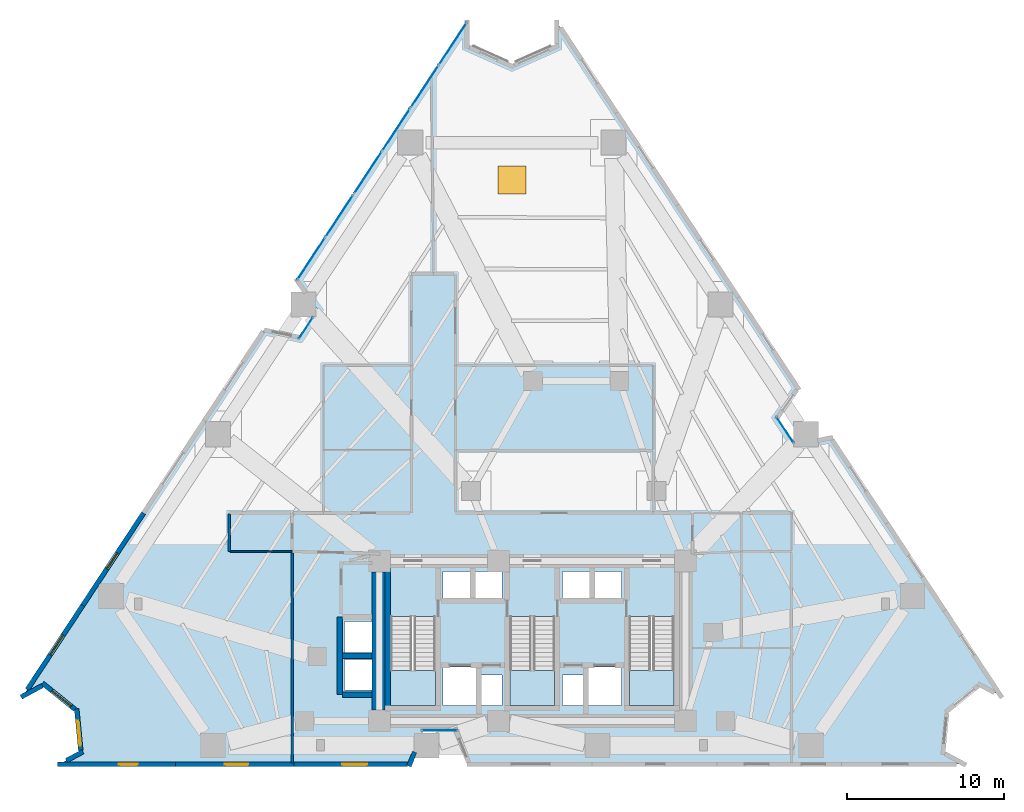
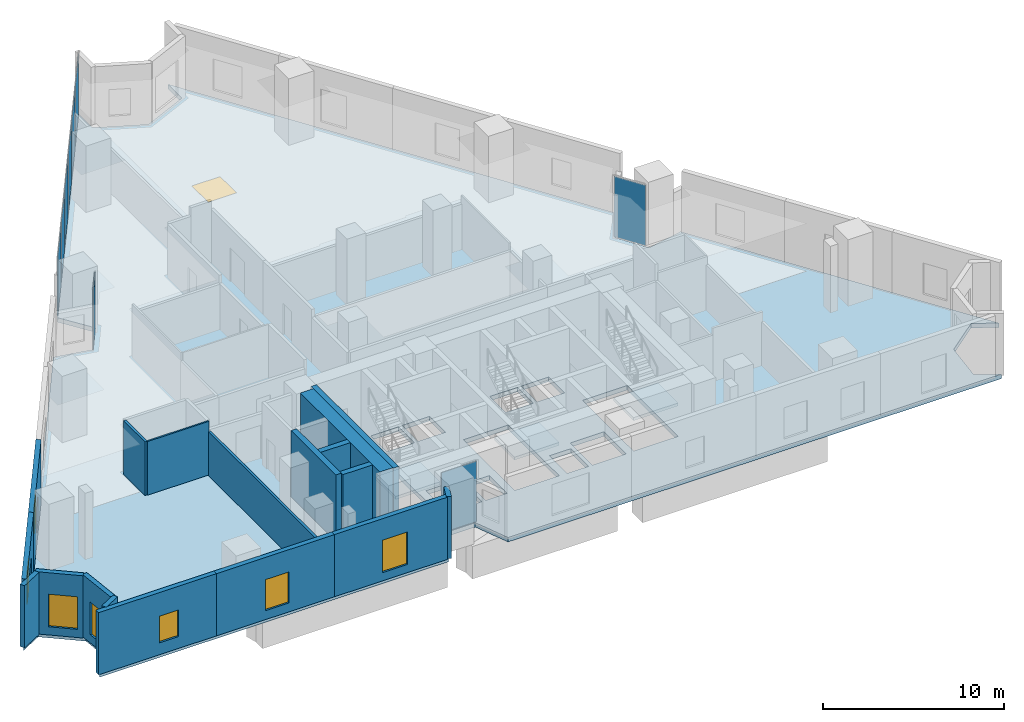
# One storey, part 7 of 15: 18 walls, 9 plates, 8 windows, 4 slabs, 8 openings, 9 elements without a shape of their own.
"""IFC4 building model written with IfcOpenShell, lengths in metres."""

from ifc_helpers import new_model, si_unit, direction, frame, frame_2d, origin, origin_2d, place, context, subcontext, project, spatial, polyline, rectangle, outline, extrude, material, layer, layer_set, type_object, element, fill, aggregate, save


model = new_model("IFC4")

# Units and contexts
model_context = context("Model", 3, precision=1e-05, world=origin(), true_north=direction((0.0, 1.0)))
body_context = subcontext(model_context, "Body", "Model", "MODEL_VIEW")
ifc_project = project(units=[si_unit("LENGTHUNIT", "METRE"), si_unit("AREAUNIT", "SQUARE_METRE"), si_unit("VOLUMEUNIT", "CUBIC_METRE"), si_unit("PLANEANGLEUNIT", "RADIAN"), si_unit("MASSUNIT", "GRAM", prefix="KILO")], contexts=[model_context])

# Site, building, storey
site_placement = place(None, origin())
site = spatial("IfcSite", under=ifc_project, at=site_placement, CompositionType="ELEMENT")
building_placement = place(site_placement, origin())
building = spatial("IfcBuilding", under=site, at=building_placement, Name="Almagre Mirador Tower", CompositionType="ELEMENT")
storey_placement = place(building_placement, frame((0.0, 0.0, 8.39990234375)))
storey = spatial("IfcBuildingStorey", under=building, at=storey_placement, Name="L01", CompositionType="ELEMENT", Elevation=8.39990234375)

# Curtain wall, plate
ifc_material_1 = material(Name="Black anodized aluminium", Category="aluminium")
ifc_layer_1 = layer(ifc_material_1, 0.169921875)
ifc_layer_set_1 = layer_set([ifc_layer_1], Name="Black anodized aluminium")
curtain_wall_type_1 = type_object("IfcCurtainWallType", Name="CW-CRS-SYS", PredefinedType="NOTDEFINED", material=ifc_layer_set_1)
curtain_wall_1_placement = place(storey_placement, origin())
curtain_wall_1 = element("IfcCurtainWall", 1, at=curtain_wall_1_placement, inside=storey, type_object=curtain_wall_type_1, Name="L01 vertical crease curtain wall 01", PredefinedType="NOTDEFINED")
ifc_material_2 = material(Name="Dark solar-control laminated hurricane glass", Category="glass")
ifc_layer_2 = layer(ifc_material_2, 0.028076171875)
ifc_layer_set_2 = layer_set([ifc_layer_2], Name="Dark solar-control laminated hurricane glass")
plate_type_1 = type_object("IfcPlateType", Name="PLT-GLZ-28", PredefinedType="CURTAIN_PANEL", material=ifc_layer_set_2)
plate_1_placement = place(storey_placement, frame((22.882080078125, 29.58349609375, 0.06005859375), z_axis=(0.0, 0.0, 1.0), x_axis=(0.550264832772, 0.834990187855, 0.0)))
plate_1 = element("IfcPlate", 2, at=plate_1_placement, type_object=plate_type_1, Name="CW-4 panel 1.1", PredefinedType="CURTAIN_PANEL", context=body_context, shape_type="SweptSolid", body=[
    extrude(rectangle(XDim=1.6103515625, YDim=0.028076171875, at=origin_2d()), origin(), (0.0, 0.0, 1.0), 4.080078125),
])
aggregate(curtain_wall_1, [plate_1])

curtain_wall_2_placement = place(storey_placement, origin())
curtain_wall_2 = element("IfcCurtainWall", 3, at=curtain_wall_2_placement, inside=storey, type_object=curtain_wall_type_1, Name="L01 vertical crease curtain wall 05", PredefinedType="NOTDEFINED")
plate_2_placement = place(storey_placement, frame((53.385498046875, 23.107177734375, 0.06005859375), z_axis=(0.0, 0.0, 1.0), x_axis=(0.550262929231, -0.8349914423, 0.0)))
plate_2 = element("IfcPlate", 4, at=plate_2_placement, type_object=plate_type_1, Name="CW-4 panel 1.1", PredefinedType="CURTAIN_PANEL", context=body_context, shape_type="SweptSolid", body=[
    extrude(rectangle(XDim=1.95361328125, YDim=0.028076171875, at=origin_2d()), origin(), (0.0, 0.0, 1.0), 4.080078125),
])
aggregate(curtain_wall_2, [plate_2])

curtain_wall_3_placement = place(storey_placement, origin())
curtain_wall_3 = element("IfcCurtainWall", 5, at=curtain_wall_3_placement, inside=storey, type_object=curtain_wall_type_1, Name="L01 vertical crease curtain wall 06", PredefinedType="NOTDEFINED")
plate_3_placement = place(storey_placement, frame((31.39208984375, 3.949951171875, 0.06005859375), z_axis=(0.0, 0.0, 1.0), x_axis=(-1.0, 0.0, 0.0)))
plate_3 = element("IfcPlate", 6, at=plate_3_placement, type_object=plate_type_1, Name="CW-4 panel 1.1", PredefinedType="CURTAIN_PANEL", context=body_context, shape_type="SweptSolid", body=[
    extrude(rectangle(XDim=2.25, YDim=0.028076171875, at=origin_2d()), origin(), (0.0, 0.0, 1.0), 4.080078125),
])
aggregate(curtain_wall_3, [plate_3])

# Curtain wall, plates
ifc_material_3 = material(Name="Black anodized aluminium", Category="aluminium")
ifc_layer_3 = layer(ifc_material_3, 0.219970703125)
ifc_layer_set_3 = layer_set([ifc_layer_3], Name="Black anodized aluminium")
curtain_wall_type_2 = type_object("IfcCurtainWallType", Name="CW-POD-SYS", PredefinedType="NOTDEFINED", material=ifc_layer_set_3)
curtain_wall_4_placement = place(storey_placement, origin())
curtain_wall_4 = element("IfcCurtainWall", 7, at=curtain_wall_4_placement, inside=storey, type_object=curtain_wall_type_2, Name="L01 curtain wall run 02", PredefinedType="NOTDEFINED")
ifc_material_4 = material(Name="Dark solar-control laminated hurricane glass", Category="glass")
ifc_layer_4 = layer(ifc_material_4, 0.035888671875)
ifc_layer_set_4 = layer_set([ifc_layer_4], Name="Dark solar-control laminated hurricane glass")
plate_type_2 = type_object("IfcPlateType", Name="PLT-GLZ-36", PredefinedType="CURTAIN_PANEL", material=ifc_layer_set_4)
plate_4_placement = place(storey_placement, frame((23.22021484375, 34.00439453125, 0.06494140625), z_axis=(0.0, 0.0, 1.0), x_axis=(0.550201075743, 0.835032200727, 0.0)))
plate_4 = element("IfcPlate", 8, at=plate_4_placement, type_object=plate_type_2, Name="CW-1 panel 1.1", PredefinedType="CURTAIN_PANEL", context=body_context, shape_type="SweptSolid", body=[
    extrude(rectangle(XDim=3.17578125, YDim=0.035888671875, at=origin_2d()), origin(), (0.0, 0.0, 1.0), 4.070068359375),
])
plate_5_placement = place(storey_placement, frame((25.006103515625, 36.71484375, 0.06494140625), z_axis=(0.0, 0.0, 1.0), x_axis=(0.550201075743, 0.835032200727, 0.0)))
plate_5 = element("IfcPlate", 9, at=plate_5_placement, type_object=plate_type_2, Name="CW-1 panel 2.1", PredefinedType="CURTAIN_PANEL", context=body_context, shape_type="SweptSolid", body=[
    extrude(rectangle(XDim=3.17578125, YDim=0.035888671875, at=origin_2d()), origin(), (0.0, 0.0, 1.0), 4.070068359375),
])
aggregate(curtain_wall_4, [plate_4, plate_5])

curtain_wall_5_placement = place(storey_placement, origin())
curtain_wall_5 = element("IfcCurtainWall", 10, at=curtain_wall_5_placement, inside=storey, type_object=curtain_wall_type_2, Name="L01 curtain wall run 03", PredefinedType="NOTDEFINED")
plate_6_placement = place(storey_placement, frame((26.83056640625, 39.483642578125, 0.06494140625), z_axis=(0.0, 0.0, 1.0), x_axis=(0.550204700336, 0.835029812478, 0.0)))
plate_6 = element("IfcPlate", 11, at=plate_6_placement, type_object=plate_type_2, Name="CW-1 panel 1.1", PredefinedType="CURTAIN_PANEL", context=body_context, shape_type="SweptSolid", body=[
    extrude(rectangle(XDim=3.176025390625, YDim=0.035888671875, at=origin_2d()), origin(), (0.0, 0.0, 1.0), 4.070068359375),
])
plate_7_placement = place(storey_placement, frame((28.616455078125, 42.1943359375, 0.06494140625), z_axis=(0.0, 0.0, 1.0), x_axis=(0.550204700336, 0.835029812478, 0.0)))
plate_7 = element("IfcPlate", 12, at=plate_7_placement, type_object=plate_type_2, Name="CW-1 panel 2.1", PredefinedType="CURTAIN_PANEL", context=body_context, shape_type="SweptSolid", body=[
    extrude(rectangle(XDim=3.176025390625, YDim=0.035888671875, at=origin_2d()), origin(), (0.0, 0.0, 1.0), 4.070068359375),
])
aggregate(curtain_wall_5, [plate_6, plate_7])

curtain_wall_6_placement = place(storey_placement, origin())
curtain_wall_6 = element("IfcCurtainWall", 13, at=curtain_wall_6_placement, inside=storey, type_object=curtain_wall_type_2, Name="L01 curtain wall run 04", PredefinedType="NOTDEFINED")
plate_8_placement = place(storey_placement, frame((30.44091796875, 44.963134765625, 0.06494140625), z_axis=(0.0, 0.0, 1.0), x_axis=(0.550201075743, 0.835032200727, 0.0)))
plate_8 = element("IfcPlate", 14, at=plate_8_placement, type_object=plate_type_2, Name="CW-1 panel 1.1", PredefinedType="CURTAIN_PANEL", context=body_context, shape_type="SweptSolid", body=[
    extrude(rectangle(XDim=3.17578125, YDim=0.035888671875, at=origin_2d()), origin(), (0.0, 0.0, 1.0), 4.070068359375),
])
plate_9_placement = place(storey_placement, frame((32.226806640625, 47.673583984375, 0.06494140625), z_axis=(0.0, 0.0, 1.0), x_axis=(0.550201075743, 0.835032200727, 0.0)))
plate_9 = element("IfcPlate", 15, at=plate_9_placement, type_object=plate_type_2, Name="CW-1 panel 2.1", PredefinedType="CURTAIN_PANEL", context=body_context, shape_type="SweptSolid", body=[
    extrude(rectangle(XDim=3.17578125, YDim=0.035888671875, at=origin_2d()), origin(), (0.0, 0.0, 1.0), 4.070068359375),
])
aggregate(curtain_wall_6, [plate_8, plate_9])

# Slab, opening, window
ifc_material_5 = material(Name="Concrete C45/55", Category="concrete")
ifc_layer_5 = layer(ifc_material_5, 0.300048828125)
ifc_layer_set_5 = layer_set([ifc_layer_5], Name="Concrete C45/55")
slab_type_1 = type_object("IfcSlabType", Name="SLB-FLR-300", PredefinedType="FLOOR", material=ifc_layer_set_5)
slab_1_placement = place(storey_placement, frame((0.0, 0.0, -0.2998046875)))
slab_1 = element("IfcSlab", 16, at=slab_1_placement, inside=storey, type_object=slab_type_1, Name="L01 structural floor slab", PredefinedType="FLOOR", context=body_context, shape_type="SweptSolid", body=[
    extrude(outline(polyline([(4.861083984375, 6.14208984375), (6.2080078125, 6.867919921875), (8.2900390625, 5.18798828125), (8.547119140625, 2.52587890625), (7.199951171875, 1.800048828125), (29.491943359375, 1.800048828125), (30.346923828125, 3.949951171875), (32.43701171875, 3.949951171875), (33.2919921875, 1.800048828125), (64.800048828125, 1.800048828125), (63.452880859375, 2.52587890625), (63.7099609375, 5.18798828125), (65.7919921875, 6.867919921875), (67.138916015625, 6.14208984375), (56.30810546875, 22.580078125), (54.0419921875, 22.111083984375), (52.89208984375, 23.85595703125), (54.217041015625, 25.7529296875), (38.861083984375, 49.05810546875), (38.861083984375, 47.528076171875), (36.0, 46.256103515625), (33.138916015625, 47.528076171875), (33.138916015625, 49.05810546875), (22.30810546875, 32.6201171875), (23.633056640625, 30.722900390625), (22.48291015625, 28.97802734375), (20.217041015625, 29.447021484375), (4.861083984375, 6.14208984375)]), holes=[polyline([(43.47509765625, 11.196044921875), (46.324951171875, 11.196044921875), (46.324951171875, 5.550048828125), (43.47509765625, 5.550048828125), (43.47509765625, 11.196044921875)]), polyline([(40.820068359375, 5.52001953125), (40.820068359375, 7.97998046875), (42.97998046875, 7.97998046875), (42.97998046875, 5.52001953125), (40.820068359375, 5.52001953125)]), polyline([(41.219970703125, 12.320068359375), (41.219970703125, 14.080078125), (42.97998046875, 14.080078125), (42.97998046875, 12.320068359375), (41.219970703125, 12.320068359375)]), polyline([(39.219970703125, 12.320068359375), (39.219970703125, 14.080078125), (40.97998046875, 14.080078125), (40.97998046875, 12.320068359375), (39.219970703125, 12.320068359375)]), polyline([(39.219970703125, 5.52001953125), (39.219970703125, 7.47998046875), (40.580078125, 7.47998046875), (40.580078125, 5.52001953125), (39.219970703125, 5.52001953125)]), polyline([(35.875, 11.196044921875), (38.72509765625, 11.196044921875), (38.72509765625, 5.550048828125), (35.875, 5.550048828125), (35.875, 11.196044921875)]), polyline([(35.3798828125, 5.52001953125), (34.02001953125, 5.52001953125), (34.02001953125, 7.47998046875), (35.3798828125, 7.47998046875), (35.3798828125, 5.52001953125)]), polyline([(35.3798828125, 12.320068359375), (33.6201171875, 12.320068359375), (33.6201171875, 14.080078125), (35.3798828125, 14.080078125), (35.3798828125, 12.320068359375)]), polyline([(31.6201171875, 5.52001953125), (31.6201171875, 7.97998046875), (33.780029296875, 7.97998046875), (33.780029296875, 5.52001953125), (31.6201171875, 5.52001953125)]), polyline([(31.6201171875, 12.320068359375), (31.6201171875, 14.080078125), (33.3798828125, 14.080078125), (33.3798828125, 12.320068359375), (31.6201171875, 12.320068359375)]), polyline([(28.27490234375, 5.550048828125), (28.27490234375, 11.196044921875), (31.125, 11.196044921875), (31.125, 5.550048828125), (28.27490234375, 5.550048828125)]), polyline([(25.320068359375, 6.52001953125), (25.320068359375, 8.47998046875), (27.3798828125, 8.47998046875), (27.3798828125, 6.52001953125), (25.320068359375, 6.52001953125)]), polyline([(25.320068359375, 8.919921875), (25.320068359375, 10.8798828125), (27.3798828125, 10.8798828125), (27.3798828125, 8.919921875), (25.320068359375, 8.919921875)])]), origin(), (0.0, 0.0, 1.0), 0.2998046875),
])
opening_1_placement = place(slab_1_placement, frame((36.0, 39.0, 0.0)))
opening_1 = element("IfcOpeningElement", 17, at=opening_1_placement, cuts=slab_1, Name="Opening SK-01", PredefinedType="OPENING", context=body_context, shape_type="SweptSolid", body=[
    extrude(rectangle(XDim=1.800048828125, YDim=1.800048828125, at=origin_2d()), origin(), (0.0, 0.0, 1.0), 0.2998046875),
])
ifc_material_6 = material(Name="Dark solar-control laminated hurricane glass", Category="glass")
window_type_1 = type_object("IfcWindowType", Name="SKY-1800X1800", PartitioningType="SINGLE_PANEL", PredefinedType="SKYLIGHT", material=ifc_material_6)
window_1_placement = place(opening_1_placement, frame((0.0, 0.0, 0.249755859375)))
window_1 = element("IfcWindow", 18, at=window_1_placement, inside=storey, type_object=window_type_1, Name="L01 atrium lightwell skylight 1", OverallHeight=1.800048828125, OverallWidth=1.800048828125, PartitioningType="SINGLE_PANEL", PredefinedType="SKYLIGHT", context=body_context, shape_type="SweptSolid", body=[
    extrude(rectangle(XDim=1.800048828125, YDim=1.800048828125, at=origin_2d()), origin(), (0.0, 0.0, 1.0), 0.050048828125),
])
fill(opening_1, window_1)

# Stair, slab
ifc_material_7 = material(Name="Concrete C45/55", Category="concrete")
stair_type = type_object("IfcStairType", Name="STR-DL-4500", PredefinedType="HALF_TURN_STAIR", material=ifc_material_7)
stair_1_placement = place(storey_placement, origin())
stair_1 = element("IfcStair", 19, at=stair_1_placement, inside=storey, type_object=stair_type, Name="L01 Protected exit stair ST-1", PredefinedType="HALF_TURN_STAIR")
ifc_material_8 = material(Name="Concrete C45/55", Category="concrete")
ifc_layer_6 = layer(ifc_material_8, 0.199951171875)
ifc_layer_set_6 = layer_set([ifc_layer_6], Name="Concrete C45/55")
slab_type_2 = type_object("IfcSlabType", Name="SLB-LND-200", PredefinedType="LANDING", material=ifc_layer_set_6)
slab_2_placement = place(storey_placement, frame((0.0, 0.0, 2.050048828125)))
slab_2 = element("IfcSlab", 20, at=slab_2_placement, type_object=slab_type_2, Name="ST-1 landing 1", PredefinedType="LANDING", context=body_context, shape_type="SweptSolid", body=[
    extrude(outline(polyline([(28.27490234375, 7.780029296875), (28.27490234375, 5.550048828125), (31.125, 5.550048828125), (31.125, 7.780029296875), (28.27490234375, 7.780029296875)])), origin(), (0.0, 0.0, 1.0), 0.199951171875),
])
aggregate(stair_1, [slab_2])

stair_2_placement = place(storey_placement, origin())
stair_2 = element("IfcStair", 21, at=stair_2_placement, inside=storey, type_object=stair_type, Name="L01 Protected exit stair ST-2", PredefinedType="HALF_TURN_STAIR")
slab_3_placement = place(storey_placement, frame((0.0, 0.0, 2.050048828125)))
slab_3 = element("IfcSlab", 22, at=slab_3_placement, type_object=slab_type_2, Name="ST-2 landing 1", PredefinedType="LANDING", context=body_context, shape_type="SweptSolid", body=[
    extrude(outline(polyline([(35.875, 7.780029296875), (35.875, 5.550048828125), (38.72509765625, 5.550048828125), (38.72509765625, 7.780029296875), (35.875, 7.780029296875)])), origin(), (0.0, 0.0, 1.0), 0.199951171875),
])
aggregate(stair_2, [slab_3])

stair_3_placement = place(storey_placement, origin())
stair_3 = element("IfcStair", 23, at=stair_3_placement, inside=storey, type_object=stair_type, Name="L01 Protected exit stair ST-3", PredefinedType="HALF_TURN_STAIR")
slab_4_placement = place(storey_placement, frame((0.0, 0.0, 2.050048828125)))
slab_4 = element("IfcSlab", 24, at=slab_4_placement, type_object=slab_type_2, Name="ST-3 landing 1", PredefinedType="LANDING", context=body_context, shape_type="SweptSolid", body=[
    extrude(outline(polyline([(43.47509765625, 7.780029296875), (43.47509765625, 5.550048828125), (46.324951171875, 5.550048828125), (46.324951171875, 7.780029296875), (43.47509765625, 7.780029296875)])), origin(), (0.0, 0.0, 1.0), 0.199951171875),
])
aggregate(stair_3, [slab_4])

# Wall
ifc_material_9 = material(Name="Precast concrete C50/60", Category="concrete")
ifc_layer_7 = layer(ifc_material_9, 0.300048828125)
ifc_layer_set_7 = layer_set([ifc_layer_7], Name="Precast concrete C50/60")
wall_type_1 = type_object("IfcWallType", Name="WAL-EXT-300", PredefinedType="SOLIDWALL", material=ifc_layer_set_7)
wall_1_placement = place(storey_placement, frame((29.798095703125, 2.569580078125, 0.0), z_axis=(0.0, 0.0, 1.0), x_axis=(-0.369651063385, -0.929170647049, 0.0)))
element("IfcWall", 25, at=wall_1_placement, inside=storey, type_object=wall_type_1, Name="L01 expressed almagre precast frame wall 25", PredefinedType="SOLIDWALL", context=body_context, shape_type="SweptSolid", body=[
    extrude(rectangle(XDim=0.96826171875, YDim=0.300048828125, at=frame_2d((0.484130859375, 0.0))), origin(), (0.0, 0.0, 1.0), 4.2001953125),
])

# Wall, opening, window
wall_2_placement = place(storey_placement, frame((29.35205078125, 1.800048828125, 0.0), z_axis=(0.0, 0.0, 1.0), x_axis=(-1.0, 0.0, 0.0)))
wall_2 = element("IfcWall", 26, at=wall_2_placement, inside=storey, type_object=wall_type_1, Name="L01 expressed almagre precast frame wall 26", PredefinedType="SOLIDWALL", context=body_context, shape_type="SweptSolid", body=[
    extrude(rectangle(XDim=7.244140625, YDim=0.300048828125, at=frame_2d((3.6220703125, 0.0))), origin(), (0.0, 0.0, 1.0), 4.2001953125),
])
opening_2_placement = place(wall_2_placement, frame((2.570068359375, 0.0, 0.550048828125)))
opening_2 = element("IfcOpeningElement", 27, at=opening_2_placement, cuts=wall_2, Name="Opening WN-06", PredefinedType="OPENING", context=body_context, shape_type="SweptSolid", body=[
    extrude(rectangle(XDim=1.60009765625, YDim=2.199951171875, at=frame_2d((0.800048828125, 1.10009765625))), frame((0.0, 0.159902, 0.0), z_axis=(0.0, -1.0, 0.0), x_axis=(1.0, 0.0, 0.0)), (0.0, 0.0, 1.0), 0.320049),
])
ifc_material_10 = material(Name="Dark solar-control laminated hurricane glass", Category="glass")
window_type_2 = type_object("IfcWindowType", Name="WIN-1600X2200", PartitioningType="DOUBLE_PANEL_VERTICAL", PredefinedType="WINDOW", material=ifc_material_10)
window_2_placement = place(opening_2_placement, origin())
window_2 = element("IfcWindow", 28, at=window_2_placement, inside=storey, type_object=window_type_2, Name="L01 recessed hurricane window L01-GAL1-2", OverallHeight=2.199951171875, OverallWidth=1.60009765625, PartitioningType="SINGLE_PANEL", PredefinedType="WINDOW", context=body_context, shape_type="SweptSolid", body=[
    extrude(rectangle(XDim=1.60009765625, YDim=2.199951171875, at=frame_2d((0.800048828125, 1.10009765625))), frame((0.0, 0.030029296875, 0.0), z_axis=(0.0, -1.0, 0.0), x_axis=(1.0, 0.0, 0.0)), (0.0, 0.0, 1.0), 0.06005859375),
])
fill(opening_2, window_2)

wall_3_placement = place(storey_placement, frame((22.10791015625, 1.800048828125, 0.0), z_axis=(0.0, 0.0, 1.0), x_axis=(-1.0, 0.0, 0.0)))
wall_3 = element("IfcWall", 29, at=wall_3_placement, inside=storey, type_object=wall_type_1, Name="L01 expressed almagre precast frame wall 27", PredefinedType="SOLIDWALL", context=body_context, shape_type="SweptSolid", body=[
    extrude(rectangle(XDim=7.52392578125, YDim=0.300048828125, at=frame_2d((3.761962890625, 0.0))), origin(), (0.0, 0.0, 1.0), 4.2001953125),
])
opening_3_placement = place(wall_3_placement, frame((2.89990234375, 0.0, 0.60009765625)))
opening_3 = element("IfcOpeningElement", 30, at=opening_3_placement, cuts=wall_3, Name="Opening WN-03", PredefinedType="OPENING", context=body_context, shape_type="SweptSolid", body=[
    extrude(rectangle(XDim=1.5, YDim=2.10009765625, at=frame_2d((0.75, 1.050048828125))), frame((0.0, 0.159902, 0.0), z_axis=(0.0, -1.0, 0.0), x_axis=(1.0, 0.0, 0.0)), (0.0, 0.0, 1.0), 0.320049),
])
ifc_material_11 = material(Name="Dark solar-control laminated hurricane glass", Category="glass")
window_type_3 = type_object("IfcWindowType", Name="WIN-1500X2100", PartitioningType="DOUBLE_PANEL_VERTICAL", PredefinedType="WINDOW", material=ifc_material_11)
window_3_placement = place(opening_3_placement, origin())
window_3 = element("IfcWindow", 31, at=window_3_placement, inside=storey, type_object=window_type_3, Name="L01 recessed hurricane window L01-CAFE-6", OverallHeight=2.10009765625, OverallWidth=1.5, PartitioningType="SINGLE_PANEL", PredefinedType="WINDOW", context=body_context, shape_type="SweptSolid", body=[
    extrude(rectangle(XDim=1.5, YDim=2.10009765625, at=frame_2d((0.75, 1.050048828125))), frame((0.0, 0.030029296875, 0.0), z_axis=(0.0, -1.0, 0.0), x_axis=(1.0, 0.0, 0.0)), (0.0, 0.0, 1.0), 0.06005859375),
])
fill(opening_3, window_3)

wall_4_placement = place(storey_placement, frame((14.583984375, 1.800048828125, 0.0), z_axis=(0.0, 0.0, 1.0), x_axis=(-1.0, 0.0, 0.0)))
wall_4 = element("IfcWall", 32, at=wall_4_placement, inside=storey, type_object=wall_type_1, Name="L01 expressed almagre precast frame wall 28", PredefinedType="SOLIDWALL", context=body_context, shape_type="SweptSolid", body=[
    extrude(rectangle(XDim=7.52392578125, YDim=0.300048828125, at=frame_2d((3.761962890625, 0.0))), origin(), (0.0, 0.0, 1.0), 4.2001953125),
])
opening_4_placement = place(wall_4_placement, frame((2.425048828125, 0.0, 0.800048828125)))
opening_4 = element("IfcOpeningElement", 33, at=opening_4_placement, cuts=wall_4, Name="Opening WN-04", PredefinedType="OPENING", context=body_context, shape_type="SweptSolid", body=[
    extrude(rectangle(XDim=1.199951171875, YDim=1.800048828125, at=frame_2d((0.60009765625, 0.89990234375))), frame((0.0, 0.159902, 0.0), z_axis=(0.0, -1.0, 0.0), x_axis=(1.0, 0.0, 0.0)), (0.0, 0.0, 1.0), 0.320049),
])
ifc_material_12 = material(Name="Dark solar-control laminated hurricane glass", Category="glass")
window_type_4 = type_object("IfcWindowType", Name="WIN-1200X1800", PartitioningType="SINGLE_PANEL", PredefinedType="WINDOW", material=ifc_material_12)
window_4_placement = place(opening_4_placement, origin())
window_4 = element("IfcWindow", 34, at=window_4_placement, inside=storey, type_object=window_type_4, Name="L01 recessed hurricane window L01-CAFE-6", OverallHeight=1.800048828125, OverallWidth=1.199951171875, PartitioningType="SINGLE_PANEL", PredefinedType="WINDOW", context=body_context, shape_type="SweptSolid", body=[
    extrude(rectangle(XDim=1.199951171875, YDim=1.800048828125, at=frame_2d((0.60009765625, 0.89990234375))), frame((0.0, 0.030029296875, 0.0), z_axis=(0.0, -1.0, 0.0), x_axis=(1.0, 0.0, 0.0)), (0.0, 0.0, 1.0), 0.06005859375),
])
fill(opening_4, window_4)

# Wall
wall_5_placement = place(storey_placement, frame((7.62255859375, 2.02783203125, 0.0), z_axis=(0.0, 0.0, 1.0), x_axis=(0.880345902198, 0.474332259586, 0.0)))
element("IfcWall", 35, at=wall_5_placement, inside=storey, type_object=wall_type_1, Name="L01 expressed almagre precast frame wall 29", PredefinedType="SOLIDWALL", context=body_context, shape_type="SweptSolid", body=[
    extrude(rectangle(XDim=1.18994140625, YDim=0.300048828125, at=frame_2d((0.594970703125, 0.0))), origin(), (0.0, 0.0, 1.0), 4.2001953125),
])

# Wall, opening, window
wall_6_placement = place(storey_placement, frame((8.5341796875, 2.660400390625, 0.0), z_axis=(0.0, 0.0, 1.0), x_axis=(-0.096129088581, 0.995368875507, 0.0)))
wall_6 = element("IfcWall", 36, at=wall_6_placement, inside=storey, type_object=wall_type_1, Name="L01 expressed almagre precast frame wall 30", PredefinedType="SOLIDWALL", context=body_context, shape_type="SweptSolid", body=[
    extrude(rectangle(XDim=2.679443359375, YDim=0.300048828125, at=frame_2d((1.33984375, 0.0))), origin(), (0.0, 0.0, 1.0), 4.2001953125),
])
opening_5_placement = place(wall_6_placement, frame((0.324951171875, 0.0, 0.550048828125)))
opening_5 = element("IfcOpeningElement", 37, at=opening_5_placement, cuts=wall_6, Name="Opening WN-06", PredefinedType="OPENING", context=body_context, shape_type="SweptSolid", body=[
    extrude(rectangle(XDim=1.60009765625, YDim=2.199951171875, at=frame_2d((0.800048828125, 1.10009765625))), frame((0.0, 0.159902, 0.0), z_axis=(0.0, -1.0, 0.0), x_axis=(1.0, 0.0, 0.0)), (0.0, 0.0, 1.0), 0.320049),
])
window_5_placement = place(opening_5_placement, origin())
window_5 = element("IfcWindow", 38, at=window_5_placement, inside=storey, type_object=window_type_2, Name="L01 recessed hurricane window L01-CAFE-6", OverallHeight=2.199951171875, OverallWidth=1.60009765625, PartitioningType="SINGLE_PANEL", PredefinedType="WINDOW", context=body_context, shape_type="SweptSolid", body=[
    extrude(rectangle(XDim=1.60009765625, YDim=2.199951171875, at=frame_2d((0.800048828125, 1.10009765625))), frame((0.0, 0.030029296875, 0.0), z_axis=(0.0, -1.0, 0.0), x_axis=(1.0, 0.0, 0.0)), (0.0, 0.0, 1.0), 0.06005859375),
])
fill(opening_5, window_5)

wall_7_placement = place(storey_placement, frame((8.17333984375, 5.2822265625, 0.0), z_axis=(0.0, 0.0, 1.0), x_axis=(-0.778261403538, 0.627940433292, 0.0)))
wall_7 = element("IfcWall", 39, at=wall_7_placement, inside=storey, type_object=wall_type_1, Name="L01 expressed almagre precast frame wall 31", PredefinedType="SOLIDWALL", context=body_context, shape_type="SweptSolid", body=[
    extrude(rectangle(XDim=2.665283203125, YDim=0.300048828125, at=frame_2d((1.33251953125, 0.0))), origin(), (0.0, 0.0, 1.0), 4.2001953125),
])
opening_6_placement = place(wall_7_placement, frame((0.31005859375, 0.0, 0.550048828125)))
opening_6 = element("IfcOpeningElement", 40, at=opening_6_placement, cuts=wall_7, Name="Opening WN-06", PredefinedType="OPENING", context=body_context, shape_type="SweptSolid", body=[
    extrude(rectangle(XDim=1.60009765625, YDim=2.199951171875, at=frame_2d((0.800048828125, 1.10009765625))), frame((0.0, 0.159902, 0.0), z_axis=(0.0, -1.0, 0.0), x_axis=(1.0, 0.0, 0.0)), (0.0, 0.0, 1.0), 0.320049),
])
window_6_placement = place(opening_6_placement, origin())
window_6 = element("IfcWindow", 41, at=window_6_placement, inside=storey, type_object=window_type_2, Name="L01 recessed hurricane window L01-CAFE-6", OverallHeight=2.199951171875, OverallWidth=1.60009765625, PartitioningType="SINGLE_PANEL", PredefinedType="WINDOW", context=body_context, shape_type="SweptSolid", body=[
    extrude(rectangle(XDim=1.60009765625, YDim=2.199951171875, at=frame_2d((0.800048828125, 1.10009765625))), frame((0.0, 0.030029296875, 0.0), z_axis=(0.0, -1.0, 0.0), x_axis=(1.0, 0.0, 0.0)), (0.0, 0.0, 1.0), 0.06005859375),
])
fill(opening_6, window_6)

# Wall
wall_8_placement = place(storey_placement, frame((6.089111328125, 6.803955078125, 0.0), z_axis=(0.0, 0.0, 1.0), x_axis=(-0.880297407877, -0.47442225252, 0.0)))
element("IfcWall", 42, at=wall_8_placement, inside=storey, type_object=wall_type_1, Name="L01 expressed almagre precast frame wall 32", PredefinedType="SOLIDWALL", context=body_context, shape_type="SweptSolid", body=[
    extrude(rectangle(XDim=1.53515625, YDim=0.300048828125, at=frame_2d((0.767578125, 0.0))), origin(), (0.0, 0.0, 1.0), 4.2001953125),
])

# Wall, opening, window
wall_9_placement = place(storey_placement, frame((5.125, 6.542724609375, 0.0), z_axis=(0.0, 0.0, 1.0), x_axis=(0.550221882284, 0.835018490966, 0.0)))
wall_9 = element("IfcWall", 43, at=wall_9_placement, inside=storey, type_object=wall_type_1, Name="L01 expressed almagre precast frame wall 33", PredefinedType="SOLIDWALL", context=body_context, shape_type="SweptSolid", body=[
    extrude(rectangle(XDim=6.427734375, YDim=0.300048828125, at=frame_2d((3.2138671875, 0.0))), origin(), (0.0, 0.0, 1.0), 4.2001953125),
])
opening_7_placement = place(wall_9_placement, frame((2.655029296875, 0.0, 0.60009765625)))
opening_7 = element("IfcOpeningElement", 44, at=opening_7_placement, cuts=wall_9, Name="Opening WN-03", PredefinedType="OPENING", context=body_context, shape_type="SweptSolid", body=[
    extrude(rectangle(XDim=1.5, YDim=2.10009765625, at=frame_2d((0.75, 1.050048828125))), frame((0.0, 0.159902, 0.0), z_axis=(0.0, -1.0, 0.0), x_axis=(1.0, 0.0, 0.0)), (0.0, 0.0, 1.0), 0.320049),
])
window_7_placement = place(opening_7_placement, origin())
window_7 = element("IfcWindow", 45, at=window_7_placement, inside=storey, type_object=window_type_3, Name="L01 recessed hurricane window L01-CAFE-6", OverallHeight=2.10009765625, OverallWidth=1.5, PartitioningType="SINGLE_PANEL", PredefinedType="WINDOW", context=body_context, shape_type="SweptSolid", body=[
    extrude(rectangle(XDim=1.5, YDim=2.10009765625, at=frame_2d((0.75, 1.050048828125))), frame((0.0, 0.030029296875, 0.0), z_axis=(0.0, -1.0, 0.0), x_axis=(1.0, 0.0, 0.0)), (0.0, 0.0, 1.0), 0.06005859375),
])
fill(opening_7, window_7)

wall_10_placement = place(storey_placement, frame((8.66162109375, 11.909912109375, 0.0), z_axis=(0.0, 0.0, 1.0), x_axis=(0.550215102762, 0.835022958183, 0.0)))
wall_10 = element("IfcWall", 46, at=wall_10_placement, inside=storey, type_object=wall_type_1, Name="L01 expressed almagre precast frame wall 34", PredefinedType="SOLIDWALL", context=body_context, shape_type="SweptSolid", body=[
    extrude(rectangle(XDim=7.047119140625, YDim=0.300048828125, at=frame_2d((3.5234375, 0.0))), origin(), (0.0, 0.0, 1.0), 4.2001953125),
])
opening_8_placement = place(wall_10_placement, frame((2.800048828125, 0.0, 0.800048828125)))
opening_8 = element("IfcOpeningElement", 47, at=opening_8_placement, cuts=wall_10, Name="Opening WN-04", PredefinedType="OPENING", context=body_context, shape_type="SweptSolid", body=[
    extrude(rectangle(XDim=1.199951171875, YDim=1.800048828125, at=frame_2d((0.60009765625, 0.89990234375))), frame((0.0, 0.159902, 0.0), z_axis=(0.0, -1.0, 0.0), x_axis=(1.0, 0.0, 0.0)), (0.0, 0.0, 1.0), 0.320049),
])
window_8_placement = place(opening_8_placement, origin())
window_8 = element("IfcWindow", 48, at=window_8_placement, inside=storey, type_object=window_type_4, Name="L01 recessed hurricane window L01-CAFE-6", OverallHeight=1.800048828125, OverallWidth=1.199951171875, PartitioningType="SINGLE_PANEL", PredefinedType="WINDOW", context=body_context, shape_type="SweptSolid", body=[
    extrude(rectangle(XDim=1.199951171875, YDim=1.800048828125, at=frame_2d((0.60009765625, 0.89990234375))), frame((0.0, 0.030029296875, 0.0), z_axis=(0.0, -1.0, 0.0), x_axis=(1.0, 0.0, 0.0)), (0.0, 0.0, 1.0), 0.06005859375),
])
fill(opening_8, window_8)

# Walls
ifc_material_13 = material(Name="Gypsum acoustic stud partition", Category="other")
ifc_layer_8 = layer(ifc_material_13, 0.10009765625)
ifc_layer_set_8 = layer_set([ifc_layer_8], Name="Gypsum acoustic stud partition")
wall_type_2 = type_object("IfcWallType", Name="WAL-PRT-100-CLS", PredefinedType="PARTITIONING", material=ifc_layer_set_8)
wall_11_placement = place(storey_placement, frame((18.06005859375, 15.35009765625, 0.0), z_axis=(0.0, 0.0, 1.0), x_axis=(1.0, 0.0, 0.0)))
element("IfcWall", 49, at=wall_11_placement, inside=storey, type_object=wall_type_2, Name="L01 interior partition 026", PredefinedType="PARTITIONING", context=body_context, shape_type="SweptSolid", body=[
    extrude(rectangle(XDim=3.93994140625, YDim=0.10009765625, at=frame_2d((1.969970703125, 0.0))), origin(), (0.0, 0.0, 1.0), 3.62109375),
])
ifc_material_14 = material(Name="Gypsum acoustic stud partition", Category="other")
ifc_layer_9 = layer(ifc_material_14, 0.14990234375)
ifc_layer_set_9 = layer_set([ifc_layer_9], Name="Gypsum acoustic stud partition")
wall_type_3 = type_object("IfcWallType", Name="WAL-PRT-150-STD", PredefinedType="PARTITIONING", material=ifc_layer_set_9)
wall_12_placement = place(storey_placement, frame((22.0, 15.264892578125, 0.0), z_axis=(0.0, 0.0, 1.0), x_axis=(0.0, -1.0, 0.0)))
element("IfcWall", 50, at=wall_12_placement, inside=storey, type_object=wall_type_3, Name="L01 interior partition 019", PredefinedType="PARTITIONING", context=body_context, shape_type="SweptSolid", body=[
    extrude(rectangle(XDim=13.3828125, YDim=0.14990234375, at=frame_2d((6.69140625, 0.0))), origin(), (0.0, 0.0, 1.0), 2.97021484375),
])
wall_13_placement = place(storey_placement, frame((18.0, 17.7275390625, 0.0), z_axis=(0.0, 0.0, 1.0), x_axis=(0.0, -1.0, 0.0)))
element("IfcWall", 51, at=wall_13_placement, inside=storey, type_object=wall_type_3, Name="L01 interior partition 025", PredefinedType="PARTITIONING", context=body_context, shape_type="SweptSolid", body=[
    extrude(rectangle(XDim=2.37744140625, YDim=0.14990234375, at=frame_2d((1.188720703125, 0.0))), origin(), (0.0, 0.0, 1.0), 3.62109375),
])
ifc_material_15 = material(Name="Concrete C60/75", Category="concrete")
ifc_layer_10 = layer(ifc_material_15, 0.35009765625)
ifc_layer_set_10 = layer_set([ifc_layer_10], Name="Concrete C60/75")
wall_type_4 = type_object("IfcWallType", Name="WAL-SHF-350", PredefinedType="SOLIDWALL", material=ifc_layer_set_10)
wall_14_placement = place(storey_placement, frame((28.10009765625, 5.199951171875, 0.0), z_axis=(0.0, 0.0, 1.0), x_axis=(0.0, 1.0, 0.0)))
element("IfcWall", 52, at=wall_14_placement, inside=storey, type_object=wall_type_4, Name="L01 shaft wall ST1-W", PredefinedType="SOLIDWALL", context=body_context, shape_type="SweptSolid", body=[
    extrude(rectangle(XDim=9.10009765625, YDim=0.35009765625, at=frame_2d((4.550048828125, 0.0))), origin(), (0.0, 0.0, 1.0), 4.5),
])
wall_15_placement = place(storey_placement, frame((25.02490234375, 6.22509765625, 0.0), z_axis=(0.0, 0.0, 1.0), x_axis=(0.0, 1.0, 0.0)))
element("IfcWall", 53, at=wall_15_placement, inside=storey, type_object=wall_type_4, Name="L01 shaft wall OL-W", PredefinedType="SOLIDWALL", context=body_context, shape_type="SweptSolid", body=[
    extrude(rectangle(XDim=4.949951171875, YDim=0.35009765625, at=frame_2d((2.47509765625, 0.0))), origin(), (0.0, 0.0, 1.0), 4.5),
])
for number, where, z_axis, x_axis, name in (
    (54, (25.199951171875, 6.22509765625, 0.0), (0.0, 0.0, 1.0), (1.0, 0.0, 0.0), "L01 shaft wall OL-S"),
    (55, (25.199951171875, 8.699951171875, 0.0), (0.0, 0.0, 1.0), (1.0, 0.0, 0.0), "L01 shaft wall OL-M"),
):
    element("IfcWall", number, at=place(storey_placement, frame(where, z_axis=z_axis, x_axis=x_axis)), inside=storey, type_object=wall_type_4, Name=name, PredefinedType="SOLIDWALL", context=body_context, shape_type="SweptSolid", body=[
        extrude(rectangle(XDim=1.900146484375, YDim=0.35009765625, at=frame_2d((0.9501953125, 0.0))), origin(), (0.0, 0.0, 1.0), 4.5),
    ])
ifc_material_16 = material(Name="Concrete C70/85", Category="concrete")
ifc_layer_11 = layer(ifc_material_16, 0.89990234375)
ifc_layer_set_11 = layer_set([ifc_layer_11], Name="Concrete C70/85")
wall_type_5 = type_object("IfcWallType", Name="WAL-SHR-900", PredefinedType="SHEAR", material=ifc_layer_set_11)
wall_16_placement = place(storey_placement, frame((27.550048828125, 5.25, 0.0), z_axis=(0.0, 0.0, 1.0), x_axis=(0.0, 1.0, 0.0)))
element("IfcWall", 56, at=wall_16_placement, inside=storey, type_object=wall_type_5, Name="L01 core shear wall W1", PredefinedType="SHEAR", context=body_context, shape_type="SweptSolid", body=[
    extrude(rectangle(XDim=8.800048828125, YDim=0.89990234375, at=frame_2d((4.39990234375, 0.0))), origin(), (0.0, 0.0, 1.0), 4.5),
])

save(model, "model.ifc")
